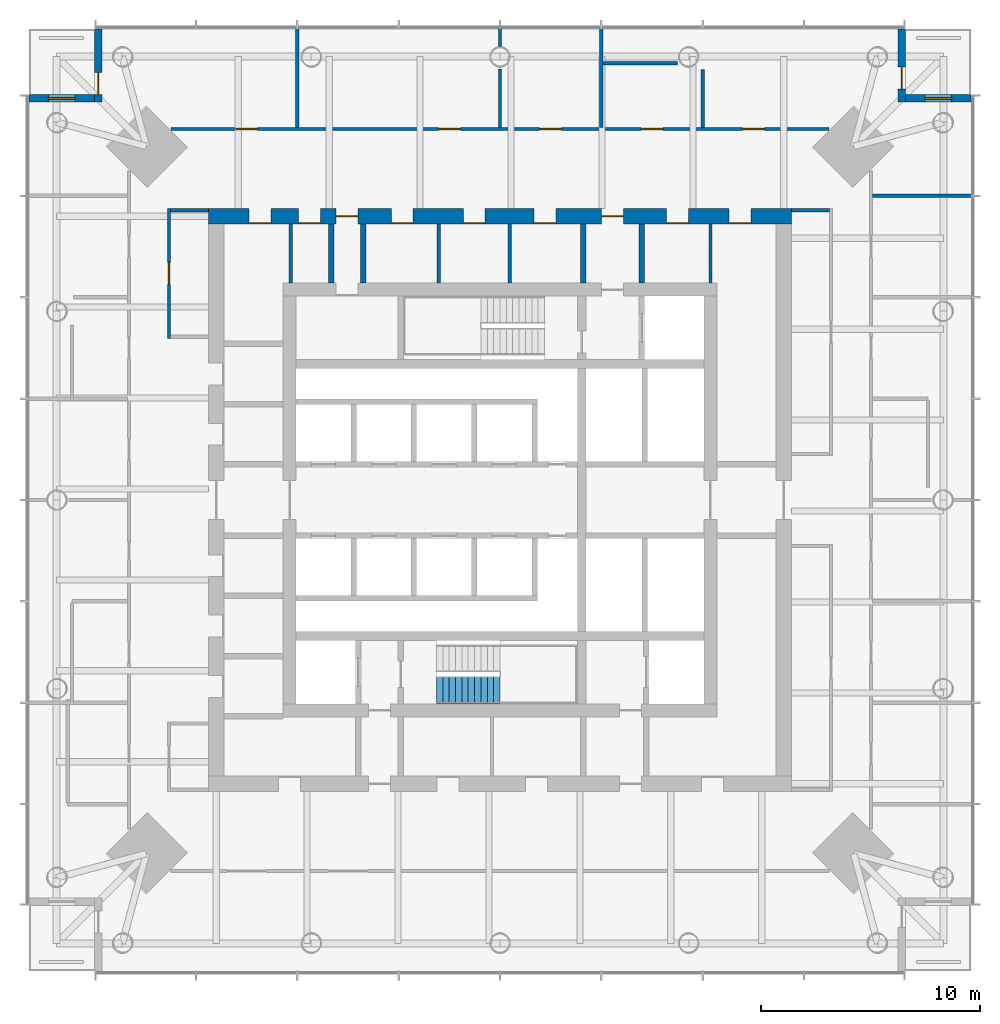
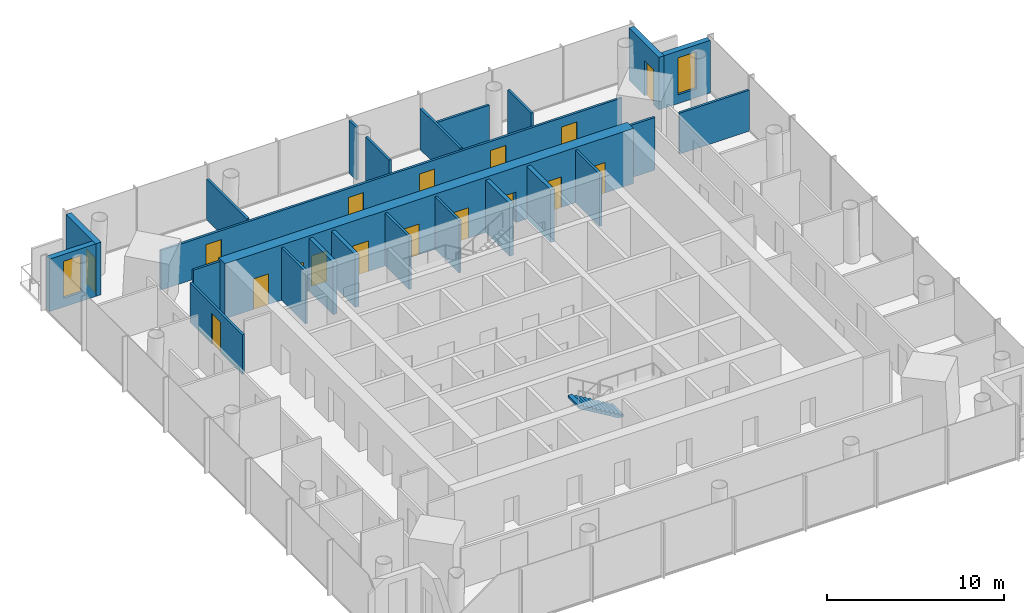
# One storey, part 7 of 9: 24 walls, 17 doors, 2 windows, 1 stair flight, 19 openings, 1 element without a shape of its own.
"""IFC4 building model written with IfcOpenShell, lengths in metres."""

from ifc_helpers import new_model, si_unit, direction, frame, frame_2d, origin, place, context, subcontext, project, spatial, polyline, rectangle, outline, extrude, material, layer, layer_set, type_object, element, fill, aggregate, save


model = new_model("IFC4")

# Units and contexts
model_context = context("Model", 3, precision=1e-05, world=origin(), true_north=direction((0.0, 1.0)))
body_context = subcontext(model_context, "Body", "Model", "MODEL_VIEW")
ifc_project = project(units=[si_unit("LENGTHUNIT", "METRE"), si_unit("AREAUNIT", "SQUARE_METRE"), si_unit("VOLUMEUNIT", "CUBIC_METRE"), si_unit("PLANEANGLEUNIT", "RADIAN"), si_unit("MASSUNIT", "GRAM", prefix="KILO")], contexts=[model_context])

# Site, building, storey
site_placement = place(None, origin())
site = spatial("IfcSite", under=ifc_project, at=site_placement, CompositionType="ELEMENT")
building_placement = place(site_placement, origin())
building = spatial("IfcBuilding", under=site, at=building_placement, Name="Ostroluk Exchange", CompositionType="ELEMENT")
storey_placement = place(building_placement, frame((0.0, 0.0, 138.800048828125)))
storey = spatial("IfcBuildingStorey", under=building, at=storey_placement, Name="L35", CompositionType="ELEMENT", Elevation=138.800048828125)

# Walls
ifc_material_1 = material(Name="Concrete blockwork", Category="masonry")
ifc_layer_1 = layer(ifc_material_1, 0.14990234375)
ifc_layer_set_1 = layer_set([ifc_layer_1], Name="Blockwork plant room wall 150")
wall_type_1 = type_object("IfcWallType", Name="Blockwork plant room wall 150", PredefinedType="SOLIDWALL", material=ifc_layer_set_1)
for number, where, z_axis, x_axis, name in (
    (1, (35.4560546875, 55.89990234375, 0.0), (0.0, 0.0, 1.0), (0.0, 1.0, 0.0), "Core room wall"),
    (2, (42.208740234375, 55.89990234375, 0.0), (0.0, 0.0, 1.0), (0.0, 1.0, 0.0), "Core room wall"),
    (3, (45.4443359375, 55.89990234375, 0.0), (0.0, 0.0, 1.0), (0.0, 1.0, 0.0), "Core room wall"),
    (4, (54.60009765625, 55.89990234375, 0.0), (0.0, 0.0, 1.0), (0.0, 1.0, 0.0), "Core room wall"),
):
    element("IfcWall", number, at=place(storey_placement, frame(where, z_axis=z_axis, x_axis=x_axis)), inside=storey, type_object=wall_type_1, Name=name, PredefinedType="SOLIDWALL", context=body_context, shape_type="SweptSolid", body=[
        extrude(rectangle(XDim=2.7001953125, YDim=0.14990234375, at=frame_2d((1.35009765625, 0.0))), origin(), (0.0, 0.0, 1.0), 3.619873046875),
    ])
ifc_material_2 = material(Name="Concrete blockwork", Category="masonry")
ifc_layer_2 = layer(ifc_material_2, 0.25)
ifc_layer_set_2 = layer_set([ifc_layer_2], Name="Blockwork stair enclosure wall 250")
wall_type_2 = type_object("IfcWallType", Name="Blockwork stair enclosure wall 250", PredefinedType="SOLIDWALL", material=ifc_layer_set_2)
for number, where, z_axis, x_axis, name in (
    (5, (48.804931640625, 55.89990234375, 0.0), (0.0, 0.0, 1.0), (0.0, 1.0, 0.0), "Fire lobby enclosure wall"),
    (6, (51.47509765625, 55.89990234375, 0.0), (0.0, 0.0, 1.0), (0.0, 1.0, 0.0), "Fire lobby enclosure wall"),
    (7, (37.300048828125, 55.89990234375, 0.0), (0.0, 0.0, 1.0), (0.0, 1.0, 0.0), "Core corridor wall"),
    (8, (38.75, 55.89990234375, 0.0), (0.0, 0.0, 1.0), (0.0, 1.0, 0.0), "Core corridor wall"),
):
    element("IfcWall", number, at=place(storey_placement, frame(where, z_axis=z_axis, x_axis=x_axis)), inside=storey, type_object=wall_type_2, Name=name, PredefinedType="SOLIDWALL", context=body_context, shape_type="SweptSolid", body=[
        extrude(rectangle(XDim=2.7001953125, YDim=0.25, at=frame_2d((1.35009765625, 0.0))), origin(), (0.0, 0.0, 1.0), 3.619873046875),
    ])

# Wall, openings, doors
ifc_material_3 = material(Name="Concrete C50/60", Category="concrete")
ifc_layer_3 = layer(ifc_material_3, 0.699951171875)
ifc_layer_set_3 = layer_set([ifc_layer_3], Name="Core wall 700 C50/60")
wall_type_3 = type_object("IfcWallType", Name="Core wall 700 C50/60", PredefinedType="SHEAR", material=ifc_layer_set_3)
wall_1_placement = place(storey_placement, frame((31.699951171875, 58.949951171875, 0.0), z_axis=(0.0, 0.0, 1.0), x_axis=(1.0, 0.0, 0.0)))
wall_1 = element("IfcWall", 9, at=wall_1_placement, inside=storey, type_object=wall_type_3, Name="T1 core wall RN", PredefinedType="SHEAR", context=body_context, shape_type="SweptSolid", body=[
    extrude(rectangle(XDim=26.60009765625, YDim=0.699951171875, at=frame_2d((13.300048828125, 0.0))), origin(), (0.0, 0.0, 1.0), 3.800048828125),
])
opening_1_placement = place(wall_1_placement, frame((17.93994140625, 0.0, 0.0)))
opening_1 = element("IfcOpeningElement", 10, at=opening_1_placement, cuts=wall_1, Name="Opening FD60", PredefinedType="OPENING", context=body_context, shape_type="SweptSolid", body=[
    extrude(rectangle(XDim=1.0, YDim=2.10009765625, at=frame_2d((0.5, 1.050048828125))), frame((0.0, 0.35986328125, 0.0), z_axis=(0.0, -1.0, 0.0), x_axis=(1.0, 0.0, 0.0)), (0.0, 0.0, 1.0), 0.719970703125),
])
opening_2_placement = place(wall_1_placement, frame((5.824951171875, 0.0, 0.0)))
opening_2 = element("IfcOpeningElement", 11, at=opening_2_placement, cuts=wall_1, Name="Opening FD60", PredefinedType="OPENING", context=body_context, shape_type="SweptSolid", body=[
    extrude(rectangle(XDim=1.0, YDim=2.10009765625, at=frame_2d((0.5, 1.050048828125))), frame((0.0, 0.35986328125, 0.0), z_axis=(0.0, -1.0, 0.0), x_axis=(1.0, 0.0, 0.0)), (0.0, 0.0, 1.0), 0.719970703125),
])
opening_3_placement = place(wall_1_placement, frame((1.85009765625, 0.0, 0.0)))
opening_3 = element("IfcOpeningElement", 12, at=opening_3_placement, cuts=wall_1, Name="Opening FD60", PredefinedType="OPENING", context=body_context, shape_type="SweptSolid", body=[
    extrude(rectangle(XDim=1.0, YDim=2.10009765625, at=frame_2d((0.5, 1.050048828125))), frame((0.0, 0.35986328125, 0.0), z_axis=(0.0, -1.0, 0.0), x_axis=(1.0, 0.0, 0.0)), (0.0, 0.0, 1.0), 0.719970703125),
])
opening_4_placement = place(wall_1_placement, frame((4.115478515625, 0.0, 0.0)))
opening_4 = element("IfcOpeningElement", 13, at=opening_4_placement, cuts=wall_1, Name="Opening FD60", PredefinedType="OPENING", context=body_context, shape_type="SweptSolid", body=[
    extrude(rectangle(XDim=1.0, YDim=2.10009765625, at=frame_2d((0.5, 1.050048828125))), frame((0.0, 0.35986328125, 0.0), z_axis=(0.0, -1.0, 0.0), x_axis=(1.0, 0.0, 0.0)), (0.0, 0.0, 1.0), 0.719970703125),
])
opening_5_placement = place(wall_1_placement, frame((8.341796875, 0.0, 0.0)))
opening_5 = element("IfcOpeningElement", 14, at=opening_5_placement, cuts=wall_1, Name="Opening FD60", PredefinedType="OPENING", context=body_context, shape_type="SweptSolid", body=[
    extrude(rectangle(XDim=1.0, YDim=2.10009765625, at=frame_2d((0.5, 1.050048828125))), frame((0.0, 0.35986328125, 0.0), z_axis=(0.0, -1.0, 0.0), x_axis=(1.0, 0.0, 0.0)), (0.0, 0.0, 1.0), 0.719970703125),
])
opening_6_placement = place(wall_1_placement, frame((11.62646484375, 0.0, 0.0)))
opening_6 = element("IfcOpeningElement", 15, at=opening_6_placement, cuts=wall_1, Name="Opening FD60", PredefinedType="OPENING", context=body_context, shape_type="SweptSolid", body=[
    extrude(rectangle(XDim=1.0, YDim=2.10009765625, at=frame_2d((0.5, 1.050048828125))), frame((0.0, 0.35986328125, 0.0), z_axis=(0.0, -1.0, 0.0), x_axis=(1.0, 0.0, 0.0)), (0.0, 0.0, 1.0), 0.719970703125),
])
opening_7_placement = place(wall_1_placement, frame((14.862060546875, 0.0, 0.0)))
opening_7 = element("IfcOpeningElement", 16, at=opening_7_placement, cuts=wall_1, Name="Opening FD60", PredefinedType="OPENING", context=body_context, shape_type="SweptSolid", body=[
    extrude(rectangle(XDim=1.0, YDim=2.10009765625, at=frame_2d((0.5, 1.050048828125))), frame((0.0, 0.35986328125, 0.0), z_axis=(0.0, -1.0, 0.0), x_axis=(1.0, 0.0, 0.0)), (0.0, 0.0, 1.0), 0.719970703125),
])
opening_8_placement = place(wall_1_placement, frame((20.89990234375, 0.0, 0.0)))
opening_8 = element("IfcOpeningElement", 17, at=opening_8_placement, cuts=wall_1, Name="Opening FD60", PredefinedType="OPENING", context=body_context, shape_type="SweptSolid", body=[
    extrude(rectangle(XDim=1.0, YDim=2.10009765625, at=frame_2d((0.5, 1.050048828125))), frame((0.0, 0.35986328125, 0.0), z_axis=(0.0, -1.0, 0.0), x_axis=(1.0, 0.0, 0.0)), (0.0, 0.0, 1.0), 0.719970703125),
])
opening_9_placement = place(wall_1_placement, frame((23.75, 0.0, 0.0)))
opening_9 = element("IfcOpeningElement", 18, at=opening_9_placement, cuts=wall_1, Name="Opening FD60", PredefinedType="OPENING", context=body_context, shape_type="SweptSolid", body=[
    extrude(rectangle(XDim=1.0, YDim=2.10009765625, at=frame_2d((0.5, 1.050048828125))), frame((0.0, 0.35986328125, 0.0), z_axis=(0.0, -1.0, 0.0), x_axis=(1.0, 0.0, 0.0)), (0.0, 0.0, 1.0), 0.719970703125),
])
ifc_material_4 = material(Name="Steel", Category="steel")
door_type_1 = type_object("IfcDoorType", Name="Fire door EI 60 1000 x 2100", OperationType="SINGLE_SWING_LEFT", PredefinedType="DOOR", material=ifc_material_4)
door_1_placement = place(opening_1_placement, origin())
door_1 = element("IfcDoor", 19, at=door_1_placement, inside=storey, type_object=door_type_1, Name="Firefighting lobby door", OperationType="SINGLE_SWING_RIGHT", OverallHeight=2.10009765625, OverallWidth=1.0, PredefinedType="DOOR", context=body_context, shape_type="SweptSolid", body=[
    extrude(rectangle(XDim=1.0, YDim=2.10009765625, at=frame_2d((0.5, 1.050048828125))), frame((0.0, 0.02490234375, 0.0), z_axis=(0.0, -1.0, 0.0), x_axis=(1.0, 0.0, 0.0)), (0.0, 0.0, 1.0), 0.050048828125),
])
fill(opening_1, door_1)
door_2_placement = place(opening_2_placement, origin())
door_2 = element("IfcDoor", 20, at=door_2_placement, inside=storey, type_object=door_type_1, Name="Core corridor door", OperationType="SINGLE_SWING_LEFT", OverallHeight=2.10009765625, OverallWidth=1.0, PredefinedType="DOOR", context=body_context, shape_type="SweptSolid", body=[
    extrude(rectangle(XDim=1.0, YDim=2.10009765625, at=frame_2d((0.5, 1.050048828125))), frame((0.0, 0.02490234375, 0.0), z_axis=(0.0, -1.0, 0.0), x_axis=(1.0, 0.0, 0.0)), (0.0, 0.0, 1.0), 0.050048828125),
])
fill(opening_2, door_2)
door_3_placement = place(opening_3_placement, origin())
door_3 = element("IfcDoor", 21, at=door_3_placement, inside=storey, type_object=door_type_1, Name="Tenant IT room door", OperationType="SINGLE_SWING_LEFT", OverallHeight=2.10009765625, OverallWidth=1.0, PredefinedType="DOOR", context=body_context, shape_type="SweptSolid", body=[
    extrude(rectangle(XDim=1.0, YDim=2.10009765625, at=frame_2d((0.5, 1.050048828125))), frame((0.0, -0.2900390625, 0.0), z_axis=(0.0, -1.0, 0.0), x_axis=(1.0, 0.0, 0.0)), (0.0, 0.0, 1.0), 0.050048828125),
])
fill(opening_3, door_3)
door_4_placement = place(opening_4_placement, origin())
door_4 = element("IfcDoor", 22, at=door_4_placement, inside=storey, type_object=door_type_1, Name="Comms room door", OperationType="SINGLE_SWING_LEFT", OverallHeight=2.10009765625, OverallWidth=1.0, PredefinedType="DOOR", context=body_context, shape_type="SweptSolid", body=[
    extrude(rectangle(XDim=1.0, YDim=2.10009765625, at=frame_2d((0.5, 1.050048828125))), frame((0.0, -0.2900390625, 0.0), z_axis=(0.0, -1.0, 0.0), x_axis=(1.0, 0.0, 0.0)), (0.0, 0.0, 1.0), 0.050048828125),
])
fill(opening_4, door_4)
door_5_placement = place(opening_5_placement, origin())
door_5 = element("IfcDoor", 23, at=door_5_placement, inside=storey, type_object=door_type_1, Name="Print and post room door", OperationType="SINGLE_SWING_LEFT", OverallHeight=2.10009765625, OverallWidth=1.0, PredefinedType="DOOR", context=body_context, shape_type="SweptSolid", body=[
    extrude(rectangle(XDim=1.0, YDim=2.10009765625, at=frame_2d((0.5, 1.050048828125))), frame((0.0, -0.2900390625, 0.0), z_axis=(0.0, -1.0, 0.0), x_axis=(1.0, 0.0, 0.0)), (0.0, 0.0, 1.0), 0.050048828125),
])
fill(opening_5, door_5)
door_6_placement = place(opening_6_placement, origin())
door_6 = element("IfcDoor", 24, at=door_6_placement, inside=storey, type_object=door_type_1, Name="Archive door", OperationType="SINGLE_SWING_LEFT", OverallHeight=2.10009765625, OverallWidth=1.0, PredefinedType="DOOR", context=body_context, shape_type="SweptSolid", body=[
    extrude(rectangle(XDim=1.0, YDim=2.10009765625, at=frame_2d((0.5, 1.050048828125))), frame((0.0, -0.2900390625, 0.0), z_axis=(0.0, -1.0, 0.0), x_axis=(1.0, 0.0, 0.0)), (0.0, 0.0, 1.0), 0.050048828125),
])
fill(opening_6, door_6)
door_7_placement = place(opening_7_placement, origin())
door_7 = element("IfcDoor", 25, at=door_7_placement, inside=storey, type_object=door_type_1, Name="Tenant IT room door", OperationType="SINGLE_SWING_RIGHT", OverallHeight=2.10009765625, OverallWidth=1.0, PredefinedType="DOOR", context=body_context, shape_type="SweptSolid", body=[
    extrude(rectangle(XDim=1.0, YDim=2.10009765625, at=frame_2d((0.5, 1.050048828125))), frame((0.0, -0.2900390625, 0.0), z_axis=(0.0, -1.0, 0.0), x_axis=(1.0, 0.0, 0.0)), (0.0, 0.0, 1.0), 0.050048828125),
])
fill(opening_7, door_7)
door_8_placement = place(opening_8_placement, origin())
door_8 = element("IfcDoor", 26, at=door_8_placement, inside=storey, type_object=door_type_1, Name="First aid room door", OperationType="SINGLE_SWING_RIGHT", OverallHeight=2.10009765625, OverallWidth=1.0, PredefinedType="DOOR", context=body_context, shape_type="SweptSolid", body=[
    extrude(rectangle(XDim=1.0, YDim=2.10009765625, at=frame_2d((0.5, 1.050048828125))), frame((0.0, -0.2900390625, 0.0), z_axis=(0.0, -1.0, 0.0), x_axis=(1.0, 0.0, 0.0)), (0.0, 0.0, 1.0), 0.050048828125),
])
fill(opening_8, door_8)
door_9_placement = place(opening_9_placement, origin())
door_9 = element("IfcDoor", 27, at=door_9_placement, inside=storey, type_object=door_type_1, Name="Tea point door", OperationType="SINGLE_SWING_RIGHT", OverallHeight=2.10009765625, OverallWidth=1.0, PredefinedType="DOOR", context=body_context, shape_type="SweptSolid", body=[
    extrude(rectangle(XDim=1.0, YDim=2.10009765625, at=frame_2d((0.5, 1.050048828125))), frame((0.0, -0.2900390625, 0.0), z_axis=(0.0, -1.0, 0.0), x_axis=(1.0, 0.0, 0.0)), (0.0, 0.0, 1.0), 0.050048828125),
])
fill(opening_9, door_9)

# Wall, opening, door
ifc_material_5 = material(Name="Limestone", Category="masonry")
ifc_layer_4 = layer(ifc_material_5, 0.35009765625)
ifc_layer_set_4 = layer_set([ifc_layer_4], Name="Limestone facade wall 350")
wall_type_4 = type_object("IfcWallType", Name="Limestone facade wall 350", PredefinedType="SOLIDWALL", material=ifc_layer_set_4)
wall_2_placement = place(storey_placement, frame((63.324951171875, 67.5, 0.0), z_axis=(0.0, 0.0, 1.0), x_axis=(0.0, -1.0, 0.0)))
wall_2 = element("IfcWall", 28, at=wall_2_placement, inside=storey, type_object=wall_type_4, Name="Office tower NE corner wall L35 a", PredefinedType="SOLIDWALL", context=body_context, shape_type="SweptSolid", body=[
    extrude(rectangle(XDim=3.35009765625, YDim=0.35009765625, at=frame_2d((1.675048828125, 0.0))), origin(), (0.0, 0.0, 1.0), 3.619873046875),
])
opening_10_placement = place(wall_2_placement, frame((1.75, 0.0, 0.0)))
opening_10 = element("IfcOpeningElement", 29, at=opening_10_placement, cuts=wall_2, Name="Opening D-B1", PredefinedType="OPENING", context=body_context, shape_type="SweptSolid", body=[
    extrude(rectangle(XDim=1.0, YDim=2.39990234375, at=frame_2d((0.5, 1.199951171875))), frame((0.0, 0.18505859375, 0.0), z_axis=(0.0, -1.0, 0.0), x_axis=(1.0, 0.0, 0.0)), (0.0, 0.0, 1.0), 0.3701171875),
])
ifc_material_6 = material(Name="Bronze framed glazed door", Category="aluminium")
door_type_2 = type_object("IfcDoorType", Name="Balcony door 1000 x 2400", OperationType="SINGLE_SWING_LEFT", PredefinedType="DOOR", material=ifc_material_6)
door_10_placement = place(opening_10_placement, origin())
door_10 = element("IfcDoor", 30, at=door_10_placement, inside=storey, type_object=door_type_2, Name="Office tower NE balcony door L35", OperationType="SINGLE_SWING_RIGHT", OverallHeight=2.39990234375, OverallWidth=1.0, PredefinedType="DOOR", context=body_context, shape_type="SweptSolid", body=[
    extrude(rectangle(XDim=1.0, YDim=2.39990234375, at=frame_2d((0.5, 1.199951171875))), frame((0.0, 0.02490234375, 0.0), z_axis=(0.0, -1.0, 0.0), x_axis=(1.0, 0.0, 0.0)), (0.0, 0.0, 1.0), 0.050048828125),
])
fill(opening_10, door_10)

# Wall, opening, window
wall_3_placement = place(storey_placement, frame((63.5, 64.324951171875, 0.0), z_axis=(0.0, 0.0, 1.0), x_axis=(1.0, 0.0, 0.0)))
wall_3 = element("IfcWall", 31, at=wall_3_placement, inside=storey, type_object=wall_type_4, Name="Office tower NE corner wall L35 b", PredefinedType="SOLIDWALL", context=body_context, shape_type="SweptSolid", body=[
    extrude(rectangle(XDim=3.0, YDim=0.35009765625, at=frame_2d((1.5, 0.0))), origin(), (0.0, 0.0, 1.0), 3.619873046875),
])
opening_11_placement = place(wall_3_placement, frame((0.89990234375, 0.0, 0.60009765625)))
opening_11 = element("IfcOpeningElement", 32, at=opening_11_placement, cuts=wall_3, Name="Opening WN-L1", PredefinedType="OPENING", context=body_context, shape_type="SweptSolid", body=[
    extrude(rectangle(XDim=1.199951171875, YDim=2.550048828125, at=frame_2d((0.60009765625, 1.27490234375))), frame((0.0, 0.18505859375, 0.0), z_axis=(0.0, -1.0, 0.0), x_axis=(1.0, 0.0, 0.0)), (0.0, 0.0, 1.0), 0.3701171875),
])
ifc_material_7 = material(Name="Laminated clear glass", Category="glass")
window_type = type_object("IfcWindowType", Name="Lancet window 1200 x 2550", PartitioningType="SINGLE_PANEL", PredefinedType="WINDOW", material=ifc_material_7)
window_1_placement = place(opening_11_placement, origin())
window_1 = element("IfcWindow", 33, at=window_1_placement, inside=storey, type_object=window_type, Name="Office tower NE lancet window L35", OverallHeight=2.550048828125, OverallWidth=1.199951171875, PartitioningType="SINGLE_PANEL", PredefinedType="WINDOW", context=body_context, shape_type="SweptSolid", body=[
    extrude(rectangle(XDim=1.199951171875, YDim=2.550048828125, at=frame_2d((0.60009765625, 1.27490234375))), frame((0.0, 0.030029296875, 0.0), z_axis=(0.0, -1.0, 0.0), x_axis=(1.0, 0.0, 0.0)), (0.0, 0.0, 1.0), 0.06005859375),
])
fill(opening_11, window_1)

# Wall, opening, door
wall_4_placement = place(storey_placement, frame((26.675048828125, 67.5, 0.0), z_axis=(0.0, 0.0, 1.0), x_axis=(0.0, -1.0, 0.0)))
wall_4 = element("IfcWall", 34, at=wall_4_placement, inside=storey, type_object=wall_type_4, Name="Office tower NW corner wall L35 a", PredefinedType="SOLIDWALL", context=body_context, shape_type="SweptSolid", body=[
    extrude(rectangle(XDim=3.35009765625, YDim=0.35009765625, at=frame_2d((1.675048828125, 0.0))), origin(), (0.0, 0.0, 1.0), 3.619873046875),
])
opening_12_placement = place(wall_4_placement, frame((2.0, 0.0, 0.0)))
opening_12 = element("IfcOpeningElement", 35, at=opening_12_placement, cuts=wall_4, Name="Opening D-B1", PredefinedType="OPENING", context=body_context, shape_type="SweptSolid", body=[
    extrude(rectangle(XDim=1.0, YDim=2.39990234375, at=frame_2d((0.5, 1.199951171875))), frame((0.0, 0.18505859375, 0.0), z_axis=(0.0, -1.0, 0.0), x_axis=(1.0, 0.0, 0.0)), (0.0, 0.0, 1.0), 0.3701171875),
])
door_11_placement = place(opening_12_placement, origin())
door_11 = element("IfcDoor", 36, at=door_11_placement, inside=storey, type_object=door_type_2, Name="Office tower NW balcony door L35", OperationType="SINGLE_SWING_RIGHT", OverallHeight=2.39990234375, OverallWidth=1.0, PredefinedType="DOOR", context=body_context, shape_type="SweptSolid", body=[
    extrude(rectangle(XDim=1.0, YDim=2.39990234375, at=frame_2d((0.5, 1.199951171875))), frame((0.0, 0.02490234375, 0.0), z_axis=(0.0, -1.0, 0.0), x_axis=(1.0, 0.0, 0.0)), (0.0, 0.0, 1.0), 0.050048828125),
])
fill(opening_12, door_11)

# Wall, opening, window
wall_5_placement = place(storey_placement, frame((26.5, 64.324951171875, 0.0), z_axis=(0.0, 0.0, 1.0), x_axis=(-1.0, 0.0, 0.0)))
wall_5 = element("IfcWall", 37, at=wall_5_placement, inside=storey, type_object=wall_type_4, Name="Office tower NW corner wall L35 b", PredefinedType="SOLIDWALL", context=body_context, shape_type="SweptSolid", body=[
    extrude(rectangle(XDim=3.0, YDim=0.35009765625, at=frame_2d((1.5, 0.0))), origin(), (0.0, 0.0, 1.0), 3.619873046875),
])
opening_13_placement = place(wall_5_placement, frame((0.89990234375, 0.0, 0.60009765625)))
opening_13 = element("IfcOpeningElement", 38, at=opening_13_placement, cuts=wall_5, Name="Opening WN-L1", PredefinedType="OPENING", context=body_context, shape_type="SweptSolid", body=[
    extrude(rectangle(XDim=1.199951171875, YDim=2.550048828125, at=frame_2d((0.60009765625, 1.27490234375))), frame((0.0, 0.18505859375, 0.0), z_axis=(0.0, -1.0, 0.0), x_axis=(1.0, 0.0, 0.0)), (0.0, 0.0, 1.0), 0.3701171875),
])
window_2_placement = place(opening_13_placement, origin())
window_2 = element("IfcWindow", 39, at=window_2_placement, inside=storey, type_object=window_type, Name="Office tower NW lancet window L35", OverallHeight=2.550048828125, OverallWidth=1.199951171875, PartitioningType="SINGLE_PANEL", PredefinedType="WINDOW", context=body_context, shape_type="SweptSolid", body=[
    extrude(rectangle(XDim=1.199951171875, YDim=2.550048828125, at=frame_2d((0.60009765625, 1.27490234375))), frame((0.0, 0.030029296875, 0.0), z_axis=(0.0, -1.0, 0.0), x_axis=(1.0, 0.0, 0.0)), (0.0, 0.0, 1.0), 0.06005859375),
])
fill(opening_13, window_2)

# Wall
ifc_material_8 = material(Name="Gypsum plasterboard partition", Category="gypsum")
ifc_layer_5 = layer(ifc_material_8, 0.14990234375)
ifc_layer_set_5 = layer_set([ifc_layer_5], Name="Plasterboard partition 150")
wall_type_5 = type_object("IfcWallType", Name="Plasterboard partition 150", PredefinedType="PARTITIONING", material=ifc_layer_set_5)
wall_6_placement = place(storey_placement, frame((58.300048828125, 59.22509765625, 0.0), z_axis=(0.0, 0.0, 1.0), x_axis=(1.0, 0.0, 0.0)))
element("IfcWall", 40, at=wall_6_placement, inside=storey, type_object=wall_type_5, Name="Partition", PredefinedType="PARTITIONING", context=body_context, shape_type="SweptSolid", body=[
    extrude(rectangle(XDim=1.724853515625, YDim=0.14990234375, at=frame_2d((0.8623046875, 0.0))), origin(), (0.0, 0.0, 1.0), 3.619873046875),
])

# Wall, opening, door
wall_7_placement = place(storey_placement, frame((29.89990234375, 59.300048828125, 0.0), z_axis=(0.0, 0.0, 1.0), x_axis=(0.0, -1.0, 0.0)))
wall_7 = element("IfcWall", 41, at=wall_7_placement, inside=storey, type_object=wall_type_5, Name="Partition", PredefinedType="PARTITIONING", context=body_context, shape_type="SweptSolid", body=[
    extrude(rectangle(XDim=5.925048828125, YDim=0.14990234375, at=frame_2d((2.96240234375, 0.0))), origin(), (0.0, 0.0, 1.0), 2.719970703125),
])
opening_14_placement = place(wall_7_placement, frame((2.46240234375, 0.0, 0.0)))
opening_14 = element("IfcOpeningElement", 42, at=opening_14_placement, cuts=wall_7, Name="Opening D-03", PredefinedType="OPENING", context=body_context, shape_type="SweptSolid", body=[
    extrude(rectangle(XDim=1.0, YDim=2.10009765625, at=frame_2d((0.5, 1.050048828125))), frame((0.0, 0.0849609375, 0.0), z_axis=(0.0, -1.0, 0.0), x_axis=(1.0, 0.0, 0.0)), (0.0, 0.0, 1.0), 0.169921875),
])
ifc_material_9 = material(Name="Timber", Category="wood")
door_type_3 = type_object("IfcDoorType", Name="Internal door 1000 x 2100", OperationType="SINGLE_SWING_LEFT", PredefinedType="DOOR", material=ifc_material_9)
door_12_placement = place(opening_14_placement, origin())
door_12 = element("IfcDoor", 43, at=door_12_placement, inside=storey, type_object=door_type_3, Name="Quiet room door", OperationType="SINGLE_SWING_RIGHT", OverallHeight=2.10009765625, OverallWidth=1.0, PredefinedType="DOOR", context=body_context, shape_type="SweptSolid", body=[
    extrude(rectangle(XDim=1.0, YDim=2.10009765625, at=frame_2d((0.5, 1.050048828125))), frame((0.0, 0.02490234375, 0.0), z_axis=(0.0, -1.0, 0.0), x_axis=(1.0, 0.0, 0.0)), (0.0, 0.0, 1.0), 0.050048828125),
])
fill(opening_14, door_12)

# Walls
wall_8_placement = place(storey_placement, frame((31.699951171875, 59.22509765625, 0.0), z_axis=(0.0, 0.0, 1.0), x_axis=(-1.0, 0.0, 0.0)))
element("IfcWall", 44, at=wall_8_placement, inside=storey, type_object=wall_type_5, Name="Partition", PredefinedType="PARTITIONING", context=body_context, shape_type="SweptSolid", body=[
    extrude(rectangle(XDim=1.724853515625, YDim=0.14990234375, at=frame_2d((0.8623046875, 0.0))), origin(), (0.0, 0.0, 1.0), 3.619873046875),
])
wall_9_placement = place(storey_placement, frame((62.0, 59.875, 0.0), z_axis=(0.0, 0.0, 1.0), x_axis=(1.0, 0.0, 0.0)))
element("IfcWall", 45, at=wall_9_placement, inside=storey, type_object=wall_type_5, Name="Partition", PredefinedType="PARTITIONING", context=body_context, shape_type="SweptSolid", body=[
    extrude(rectangle(XDim=4.5400390625, YDim=0.14990234375, at=frame_2d((2.27001953125, 0.0))), origin(), (0.0, 0.0, 1.0), 2.820068359375),
])
wall_10_placement = place(storey_placement, frame((53.10009765625, 65.925048828125, 0.0), z_axis=(0.0, 0.0, 1.0), x_axis=(-1.0, 0.0, 0.0)))
element("IfcWall", 46, at=wall_10_placement, inside=storey, type_object=wall_type_5, Name="Partition", PredefinedType="PARTITIONING", context=body_context, shape_type="SweptSolid", body=[
    extrude(rectangle(XDim=3.400146484375, YDim=0.14990234375, at=frame_2d((1.7001953125, 0.0))), origin(), (0.0, 0.0, 1.0), 2.820068359375),
])

# Wall, openings, doors
wall_11_placement = place(storey_placement, frame((60.011474609375, 62.925048828125, 0.0), z_axis=(0.0, 0.0, 1.0), x_axis=(-1.0, 0.0, 0.0)))
wall_11 = element("IfcWall", 47, at=wall_11_placement, inside=storey, type_object=wall_type_5, Name="Partition", PredefinedType="PARTITIONING", context=body_context, shape_type="SweptSolid", body=[
    extrude(rectangle(XDim=30.02294921875, YDim=0.14990234375, at=frame_2d((15.011474609375, 0.0))), origin(), (0.0, 0.0, 1.0), 2.719970703125),
])
opening_15_placement = place(wall_11_placement, frame((2.948974609375, 0.0, 0.0)))
opening_15 = element("IfcOpeningElement", 48, at=opening_15_placement, cuts=wall_11, Name="Opening D-03", PredefinedType="OPENING", context=body_context, shape_type="SweptSolid", body=[
    extrude(rectangle(XDim=1.0, YDim=2.10009765625, at=frame_2d((0.5, 1.050048828125))), frame((0.0, 0.0849609375, 0.0), z_axis=(0.0, -1.0, 0.0), x_axis=(1.0, 0.0, 0.0)), (0.0, 0.0, 1.0), 0.169921875),
])
opening_16_placement = place(wall_11_placement, frame((7.573974609375, 0.0, 0.0)))
opening_16 = element("IfcOpeningElement", 49, at=opening_16_placement, cuts=wall_11, Name="Opening D-03", PredefinedType="OPENING", context=body_context, shape_type="SweptSolid", body=[
    extrude(rectangle(XDim=1.0, YDim=2.10009765625, at=frame_2d((0.5, 1.050048828125))), frame((0.0, 0.0849609375, 0.0), z_axis=(0.0, -1.0, 0.0), x_axis=(1.0, 0.0, 0.0)), (0.0, 0.0, 1.0), 0.169921875),
])
opening_17_placement = place(wall_11_placement, frame((12.198974609375, 0.0, 0.0)))
opening_17 = element("IfcOpeningElement", 50, at=opening_17_placement, cuts=wall_11, Name="Opening D-03", PredefinedType="OPENING", context=body_context, shape_type="SweptSolid", body=[
    extrude(rectangle(XDim=1.0, YDim=2.10009765625, at=frame_2d((0.5, 1.050048828125))), frame((0.0, 0.0849609375, 0.0), z_axis=(0.0, -1.0, 0.0), x_axis=(1.0, 0.0, 0.0)), (0.0, 0.0, 1.0), 0.169921875),
])
opening_18_placement = place(wall_11_placement, frame((16.823974609375, 0.0, 0.0)))
opening_18 = element("IfcOpeningElement", 51, at=opening_18_placement, cuts=wall_11, Name="Opening D-03", PredefinedType="OPENING", context=body_context, shape_type="SweptSolid", body=[
    extrude(rectangle(XDim=1.0, YDim=2.10009765625, at=frame_2d((0.5, 1.050048828125))), frame((0.0, 0.0849609375, 0.0), z_axis=(0.0, -1.0, 0.0), x_axis=(1.0, 0.0, 0.0)), (0.0, 0.0, 1.0), 0.169921875),
])
opening_19_placement = place(wall_11_placement, frame((26.073974609375, 0.0, 0.0)))
opening_19 = element("IfcOpeningElement", 52, at=opening_19_placement, cuts=wall_11, Name="Opening D-03", PredefinedType="OPENING", context=body_context, shape_type="SweptSolid", body=[
    extrude(rectangle(XDim=1.0, YDim=2.10009765625, at=frame_2d((0.5, 1.050048828125))), frame((0.0, 0.0849609375, 0.0), z_axis=(0.0, -1.0, 0.0), x_axis=(1.0, 0.0, 0.0)), (0.0, 0.0, 1.0), 0.169921875),
])
door_13_placement = place(opening_15_placement, origin())
door_13 = element("IfcDoor", 53, at=door_13_placement, inside=storey, type_object=door_type_3, Name="Office suite door", OperationType="SINGLE_SWING_LEFT", OverallHeight=2.10009765625, OverallWidth=1.0, PredefinedType="DOOR", context=body_context, shape_type="SweptSolid", body=[
    extrude(rectangle(XDim=1.0, YDim=2.10009765625, at=frame_2d((0.5, 1.050048828125))), frame((0.0, 0.02490234375, 0.0), z_axis=(0.0, -1.0, 0.0), x_axis=(1.0, 0.0, 0.0)), (0.0, 0.0, 1.0), 0.050048828125),
])
fill(opening_15, door_13)
door_14_placement = place(opening_16_placement, origin())
door_14 = element("IfcDoor", 54, at=door_14_placement, inside=storey, type_object=door_type_3, Name="Focus room door", OperationType="SINGLE_SWING_LEFT", OverallHeight=2.10009765625, OverallWidth=1.0, PredefinedType="DOOR", context=body_context, shape_type="SweptSolid", body=[
    extrude(rectangle(XDim=1.0, YDim=2.10009765625, at=frame_2d((0.5, 1.050048828125))), frame((0.0, 0.02490234375, 0.0), z_axis=(0.0, -1.0, 0.0), x_axis=(1.0, 0.0, 0.0)), (0.0, 0.0, 1.0), 0.050048828125),
])
fill(opening_16, door_14)
door_15_placement = place(opening_17_placement, origin())
door_15 = element("IfcDoor", 55, at=door_15_placement, inside=storey, type_object=door_type_3, Name="Office door", OperationType="SINGLE_SWING_LEFT", OverallHeight=2.10009765625, OverallWidth=1.0, PredefinedType="DOOR", context=body_context, shape_type="SweptSolid", body=[
    extrude(rectangle(XDim=1.0, YDim=2.10009765625, at=frame_2d((0.5, 1.050048828125))), frame((0.0, 0.02490234375, 0.0), z_axis=(0.0, -1.0, 0.0), x_axis=(1.0, 0.0, 0.0)), (0.0, 0.0, 1.0), 0.050048828125),
])
fill(opening_17, door_15)
door_16_placement = place(opening_18_placement, origin())
door_16 = element("IfcDoor", 56, at=door_16_placement, inside=storey, type_object=door_type_3, Name="Office door", OperationType="SINGLE_SWING_RIGHT", OverallHeight=2.10009765625, OverallWidth=1.0, PredefinedType="DOOR", context=body_context, shape_type="SweptSolid", body=[
    extrude(rectangle(XDim=1.0, YDim=2.10009765625, at=frame_2d((0.5, 1.050048828125))), frame((0.0, 0.02490234375, 0.0), z_axis=(0.0, -1.0, 0.0), x_axis=(1.0, 0.0, 0.0)), (0.0, 0.0, 1.0), 0.050048828125),
])
fill(opening_18, door_16)
door_17_placement = place(opening_19_placement, origin())
door_17 = element("IfcDoor", 57, at=door_17_placement, inside=storey, type_object=door_type_3, Name="Office door", OperationType="SINGLE_SWING_RIGHT", OverallHeight=2.10009765625, OverallWidth=1.0, PredefinedType="DOOR", context=body_context, shape_type="SweptSolid", body=[
    extrude(rectangle(XDim=1.0, YDim=2.10009765625, at=frame_2d((0.5, 1.050048828125))), frame((0.0, 0.02490234375, 0.0), z_axis=(0.0, -1.0, 0.0), x_axis=(1.0, 0.0, 0.0)), (0.0, 0.0, 1.0), 0.050048828125),
])
fill(opening_19, door_17)

# Walls
wall_12_placement = place(storey_placement, frame((54.25, 63.0, 0.0), z_axis=(0.0, 0.0, 1.0), x_axis=(0.0, 1.0, 0.0)))
element("IfcWall", 58, at=wall_12_placement, inside=storey, type_object=wall_type_5, Name="Partition", PredefinedType="PARTITIONING", context=body_context, shape_type="SweptSolid", body=[
    extrude(rectangle(XDim=2.64794921875, YDim=0.14990234375, at=frame_2d((1.323974609375, 0.0))), origin(), (0.0, 0.0, 1.0), 3.619873046875),
])
wall_13_placement = place(storey_placement, frame((49.625, 63.0, 0.0), z_axis=(0.0, 0.0, 1.0), x_axis=(0.0, 1.0, 0.0)))
element("IfcWall", 59, at=wall_13_placement, inside=storey, type_object=wall_type_5, Name="Partition", PredefinedType="PARTITIONING", context=body_context, shape_type="SweptSolid", body=[
    extrude(rectangle(XDim=4.5400390625, YDim=0.14990234375, at=frame_2d((2.27001953125, 0.0))), origin(), (0.0, 0.0, 1.0), 2.820068359375),
])
wall_14_placement = place(storey_placement, frame((45.0, 63.0, 0.0), z_axis=(0.0, 0.0, 1.0), x_axis=(0.0, 1.0, 0.0)))
element("IfcWall", 60, at=wall_14_placement, inside=storey, type_object=wall_type_5, Name="Partition", PredefinedType="PARTITIONING", context=body_context, shape_type="SweptSolid", body=[
    extrude(rectangle(XDim=2.6572265625, YDim=0.14990234375, at=frame_2d((1.32861328125, 0.0))), origin(), (0.0, 0.0, 1.0), 3.619873046875),
])
wall_15_placement = place(storey_placement, frame((45.0, 66.692626953125, 0.0), z_axis=(0.0, 0.0, 1.0), x_axis=(0.0, 1.0, 0.0)))
element("IfcWall", 61, at=wall_15_placement, inside=storey, type_object=wall_type_5, Name="Partition", PredefinedType="PARTITIONING", context=body_context, shape_type="SweptSolid", body=[
    extrude(rectangle(XDim=0.847412109375, YDim=0.14990234375, at=frame_2d((0.423828125, 0.0))), origin(), (0.0, 0.0, 1.0), 3.619873046875),
])
wall_16_placement = place(storey_placement, frame((35.75, 63.0, 0.0), z_axis=(0.0, 0.0, 1.0), x_axis=(0.0, 1.0, 0.0)))
element("IfcWall", 62, at=wall_16_placement, inside=storey, type_object=wall_type_5, Name="Partition", PredefinedType="PARTITIONING", context=body_context, shape_type="SweptSolid", body=[
    extrude(rectangle(XDim=4.5400390625, YDim=0.14990234375, at=frame_2d((2.27001953125, 0.0))), origin(), (0.0, 0.0, 1.0), 2.820068359375),
])

# Stair, stair flight
ifc_material_10 = material(Name="Concrete C30/37", Category="concrete")
stair_type = type_object("IfcStairType", Name="Exit stair half turn 3800", PredefinedType="HALF_TURN_STAIR", material=ifc_material_10)
stair_placement = place(storey_placement, origin())
stair = element("IfcStair", 63, at=stair_placement, inside=storey, type_object=stair_type, Name="Stair T1-S1 L35", PredefinedType="HALF_TURN_STAIR")
ifc_material_11 = material(Name="Concrete C30/37", Category="concrete")
stair_flight_type = type_object("IfcStairFlightType", Name="Stair flight 11 risers 172.7 x 290", PredefinedType="STRAIGHT", material=ifc_material_11)
stair_flight_placement = place(storey_placement, frame((45.0, 37.324951171875, 1.89990234375), z_axis=(0.0, 0.0, 1.0), x_axis=(-1.0, 0.0, 0.0)))
stair_flight = element("IfcStairFlight", 64, at=stair_flight_placement, type_object=stair_flight_type, Name="T1-S1 flight 2", NumberOfRisers=11, NumberOfTreads=10, PredefinedType="STRAIGHT", RiserHeight=0.172727273, TreadLength=0.29, context=body_context, shape_type="SweptSolid", body=[
    extrude(outline(polyline([(0.0, 0.0), (0.0, 0.172607421875), (0.2900390625, 0.172607421875), (0.2900390625, 0.345458984375), (0.580078125, 0.345458984375), (0.580078125, 0.51806640625), (0.8701171875, 0.51806640625), (0.8701171875, 0.69091796875), (1.159912109375, 0.69091796875), (1.159912109375, 0.863525390625), (1.449951171875, 0.863525390625), (1.449951171875, 1.036376953125), (1.739990234375, 1.036376953125), (1.739990234375, 1.208984375), (2.030029296875, 1.208984375), (2.030029296875, 1.3818359375), (2.320068359375, 1.3818359375), (2.320068359375, 1.554443359375), (2.610107421875, 1.554443359375), (2.610107421875, 1.727294921875), (2.89990234375, 1.727294921875), (2.89990234375, 1.89990234375), (2.89990234375, 1.552734375), (0.29296875, 0.0), (0.0, 0.0)])), frame((0.0, 0.625, 0.0), z_axis=(0.0, -1.0, 0.0), x_axis=(1.0, 0.0, 0.0)), (0.0, 0.0, 1.0), 1.25),
])
aggregate(stair, [stair_flight])

save(model, "model.ifc")
